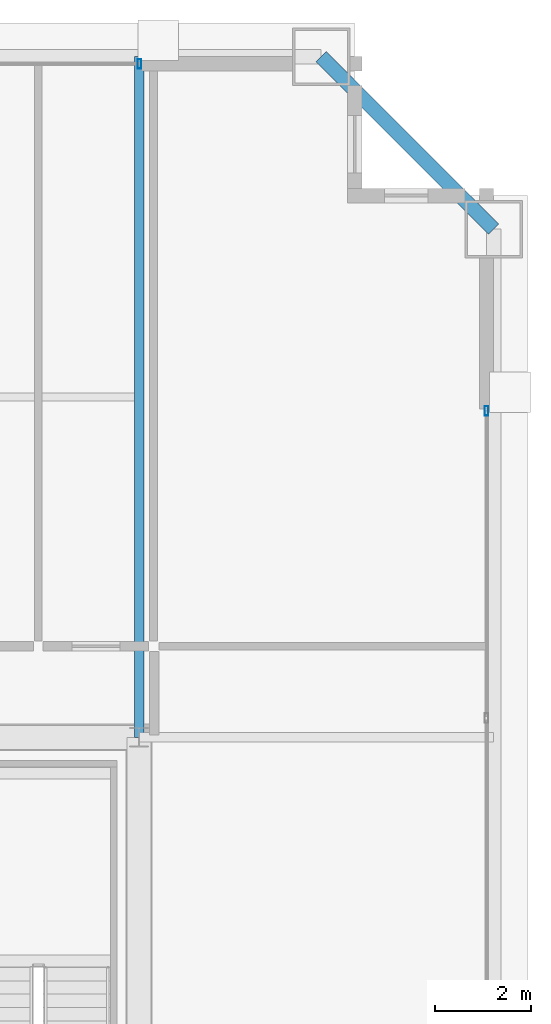
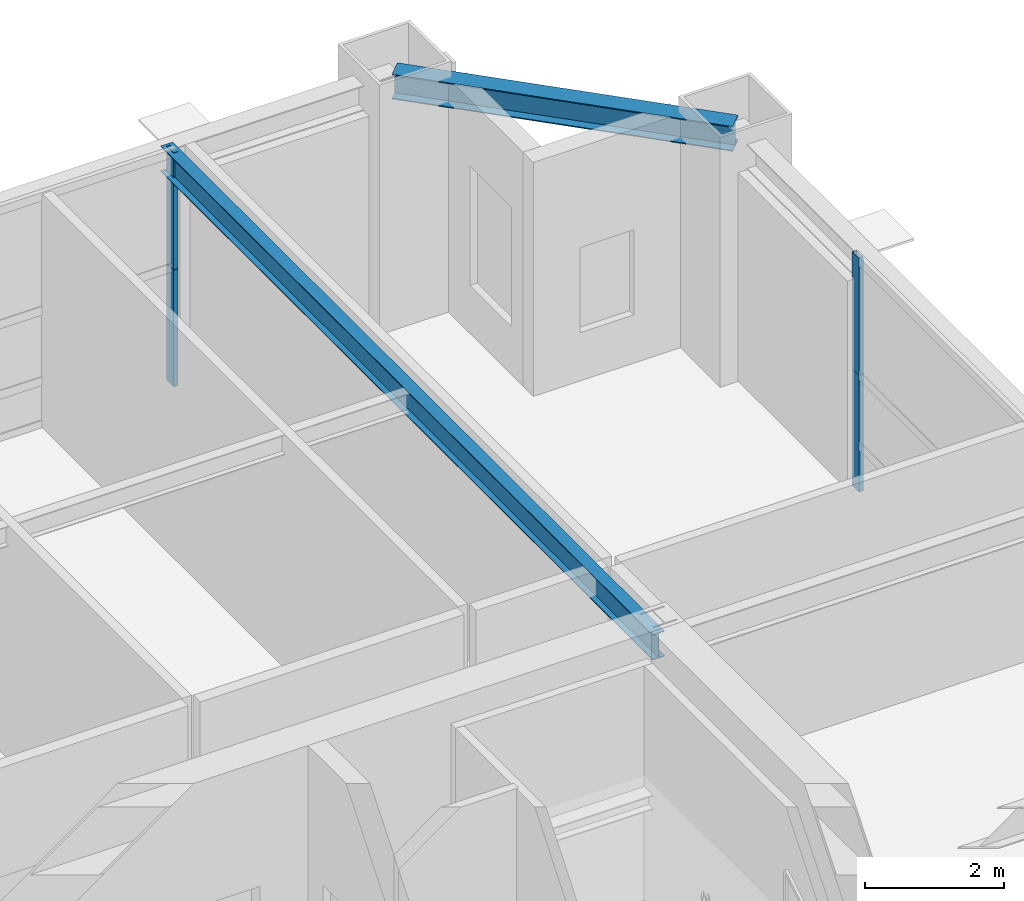
# One storey, part 21 of 26: 4 members, 2 beams, 2 elements without a shape of their own.
"""IFC4 building model written with IfcOpenShell, lengths in metres."""

from ifc_helpers import new_model, si_unit, direction, frame, origin, origin_2d, place, context, subcontext, project, spatial, hollow_rectangle, i_section, extrude, source, transform, mapped, material, layer, layer_set, material_profile, profile_set, type_object, element, aggregate, save


model = new_model("IFC4")

# Units and contexts
model_context = context("Model", 3, precision=1e-05, world=origin(), true_north=direction((0.0, 1.0)))
body_context = subcontext(model_context, "Body", "Model", "MODEL_VIEW")
ifc_project = project(units=[si_unit("LENGTHUNIT", "METRE"), si_unit("AREAUNIT", "SQUARE_METRE"), si_unit("VOLUMEUNIT", "CUBIC_METRE"), si_unit("PLANEANGLEUNIT", "RADIAN"), si_unit("MASSUNIT", "GRAM", prefix="KILO"), si_unit("THERMODYNAMICTEMPERATUREUNIT", "KELVIN"), si_unit("POWERUNIT", "WATT")], contexts=[model_context])

# Site, building, storey
site_placement = place(None, origin())
site = spatial("IfcSite", under=ifc_project, at=site_placement, CompositionType="ELEMENT")
building_placement = place(site_placement, origin())
building = spatial("IfcBuilding", under=site, at=building_placement, Name="Yuzanri Waterfront Tower", CompositionType="ELEMENT")
storey_placement = place(building_placement, frame((0.0, 0.0, 259.10009765625)))
storey = spatial("IfcBuildingStorey", under=building, at=storey_placement, Name="L69", CompositionType="ELEMENT", Elevation=259.10009765625)

# Beams
ifc_material_1 = material(Name="Steel Q355B", Category="steel")
ifc_material_profile_1 = material_profile(ifc_material_1, i_section(OverallWidth=0.300048828125, OverallDepth=0.43994140625, WebThickness=0.010986328125, FlangeThickness=0.01806640625, at=origin_2d()), Name="HM 440x300x11x18")
ifc_profile_set_1 = profile_set([ifc_material_profile_1], Name="Steel Q355B")
beam_type_1 = type_object("IfcBeamType", Name="Perimeter Spandrel Q355B HM 440x300", PredefinedType="SPANDREL", material=ifc_profile_set_1)
shared_shape_1 = source(origin(), body_context, "Body", "SweptSolid", [
    extrude(i_section(OverallWidth=0.300048828125, OverallDepth=0.43994140625, WebThickness=0.010986328125, FlangeThickness=0.01806640625, at=origin_2d()), origin(), (0.0, 0.0, 1.0), 5.091064453125),
])
beam_1_placement = place(storey_placement, frame((57.60009765625, 42.800048828125, 3.89990234375), z_axis=(-0.707130757816, 0.707082803744, 0.0), x_axis=(-0.707082803744, -0.707130757816, 0.0)))
element("IfcBeam", 1, at=beam_1_placement, inside=storey, type_object=beam_type_1, Name="L69 Perimeter Spandrel E3-N3", PredefinedType="SPANDREL", context=body_context, shape_type="MappedRepresentation", body=[
    mapped(shared_shape_1, transform((0.0, 0.0, 0.0), scale=1.0)),
])
ifc_material_2 = material(Name="Steel Q355B", Category="steel")
ifc_material_profile_2 = material_profile(ifc_material_2, i_section(OverallWidth=0.199951171875, OverallDepth=0.449951171875, WebThickness=0.009033203125, FlangeThickness=0.013916015625, at=origin_2d()), Name="HN 450x200x9x14")
ifc_profile_set_2 = profile_set([ifc_material_profile_2], Name="Steel Q355B")
beam_type_2 = type_object("IfcBeamType", Name="Secondary Floor Beam Q355B HN 450x200", PredefinedType="BEAM", material=ifc_profile_set_2)
shared_shape_2 = source(origin(), body_context, "Body", "SweptSolid", [
    extrude(i_section(OverallWidth=0.199951171875, OverallDepth=0.449951171875, WebThickness=0.009033203125, FlangeThickness=0.013916015625, at=origin_2d()), origin(), (0.0, 0.0, 1.0), 14.199951171875),
])
beam_2_placement = place(storey_placement, frame((50.199951171875, 32.199951171875, 3.89501953125), z_axis=(0.0, 1.0, 0.0), x_axis=(-1.0, 0.0, 0.0)))
element("IfcBeam", 2, at=beam_2_placement, inside=storey, type_object=beam_type_2, Name="L69 North-East Core Line Beam", PredefinedType="BEAM", context=body_context, shape_type="MappedRepresentation", body=[
    mapped(shared_shape_2, transform((0.0, 0.0, 0.0), scale=1.0)),
])

# Curtain wall, members
ifc_material_3 = material(Name="Anodized Architectural Bronze", Category="metal")
ifc_layer = layer(ifc_material_3, 0.159912109375)
ifc_layer_set = layer_set([ifc_layer], Name="Anodized Architectural Bronze")
curtain_wall_type = type_object("IfcCurtainWallType", Name="Anodized Bronze Sky-Lobby Triple-Glazed Feature Curtain Wall 7500", PredefinedType="NOTDEFINED", material=ifc_layer_set)
curtain_wall_1_placement = place(storey_placement, origin())
curtain_wall_1 = element("IfcCurtainWall", 3, at=curtain_wall_1_placement, inside=storey, type_object=curtain_wall_type, Name="L69 Curtain Wall CW-L69-NR", PredefinedType="NOTDEFINED")
ifc_material_4 = material(Name="Anodized Architectural Bronze", Category="metal")
ifc_material_profile_3 = material_profile(ifc_material_4, hollow_rectangle(XDim=0.074951171875, YDim=0.199951171875, WallThickness=0.00390625, at=origin_2d()), Name="CWM 75x200")
ifc_profile_set_3 = profile_set([ifc_material_profile_3], Name="Anodized Architectural Bronze")
member_type = type_object("IfcMemberType", Name="Anodized Bronze Primary Curtain-Wall Mullion 75x200", PredefinedType="MULLION", material=ifc_profile_set_3)
shared_shape_3 = source(origin(), body_context, "Body", "SweptSolid", [
    extrude(hollow_rectangle(XDim=0.074951171875, YDim=0.199951171875, WallThickness=0.00390625, at=origin_2d()), origin(), (0.0, 0.0, 1.0), 2.057861328125),
])
member_1_placement = place(storey_placement, frame((50.2099609375, 46.25, 0.0), z_axis=(0.0, 0.0, 1.0), x_axis=(1.0, 0.0, 0.0)))
member_1 = element("IfcMember", 4, at=member_1_placement, type_object=member_type, Name="CW-L69-NR Lower Mullion 02", PredefinedType="MULLION", context=body_context, shape_type="MappedRepresentation", body=[
    mapped(shared_shape_3, transform((0.0, 0.0, 0.0), scale=1.0)),
])
member_2_placement = place(storey_placement, frame((50.2099609375, 46.25, 2.06201171875), z_axis=(0.0, 0.0, 1.0), x_axis=(1.0, 0.0, 0.0)))
member_2 = element("IfcMember", 5, at=member_2_placement, type_object=member_type, Name="CW-L69-NR Upper Mullion 02", PredefinedType="MULLION", context=body_context, shape_type="MappedRepresentation", body=[
    mapped(shared_shape_3, transform((0.0, 0.0, 0.0), scale=1.0)),
])
aggregate(curtain_wall_1, [member_1, member_2])

curtain_wall_2_placement = place(storey_placement, origin())
curtain_wall_2 = element("IfcCurtainWall", 6, at=curtain_wall_2_placement, inside=storey, type_object=curtain_wall_type, Name="L69 Curtain Wall CW-L69-ER", PredefinedType="NOTDEFINED")
member_3_placement = place(storey_placement, frame((57.449951171875, 39.010009765625, 0.0), z_axis=(0.0, 0.0, 1.0), x_axis=(1.0, 0.0, 0.0)))
member_3 = element("IfcMember", 7, at=member_3_placement, type_object=member_type, Name="CW-L69-ER Lower Mullion 02", PredefinedType="MULLION", context=body_context, shape_type="MappedRepresentation", body=[
    mapped(shared_shape_3, transform((0.0, 0.0, 0.0), scale=1.0)),
])
member_4_placement = place(storey_placement, frame((57.449951171875, 39.010009765625, 2.06201171875), z_axis=(0.0, 0.0, 1.0), x_axis=(1.0, 0.0, 0.0)))
member_4 = element("IfcMember", 8, at=member_4_placement, type_object=member_type, Name="CW-L69-ER Upper Mullion 02", PredefinedType="MULLION", context=body_context, shape_type="MappedRepresentation", body=[
    mapped(shared_shape_3, transform((0.0, 0.0, 0.0), scale=1.0)),
])
aggregate(curtain_wall_2, [member_3, member_4])

save(model, "model.ifc")
